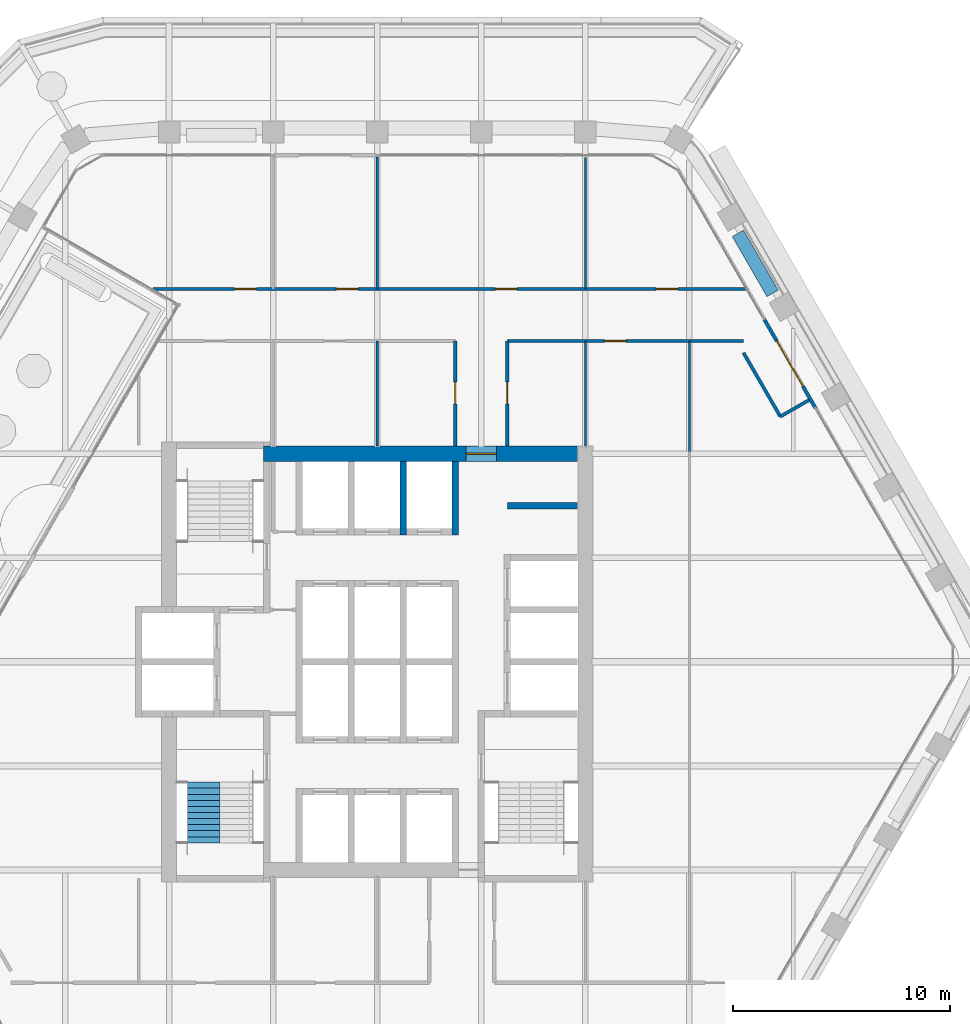
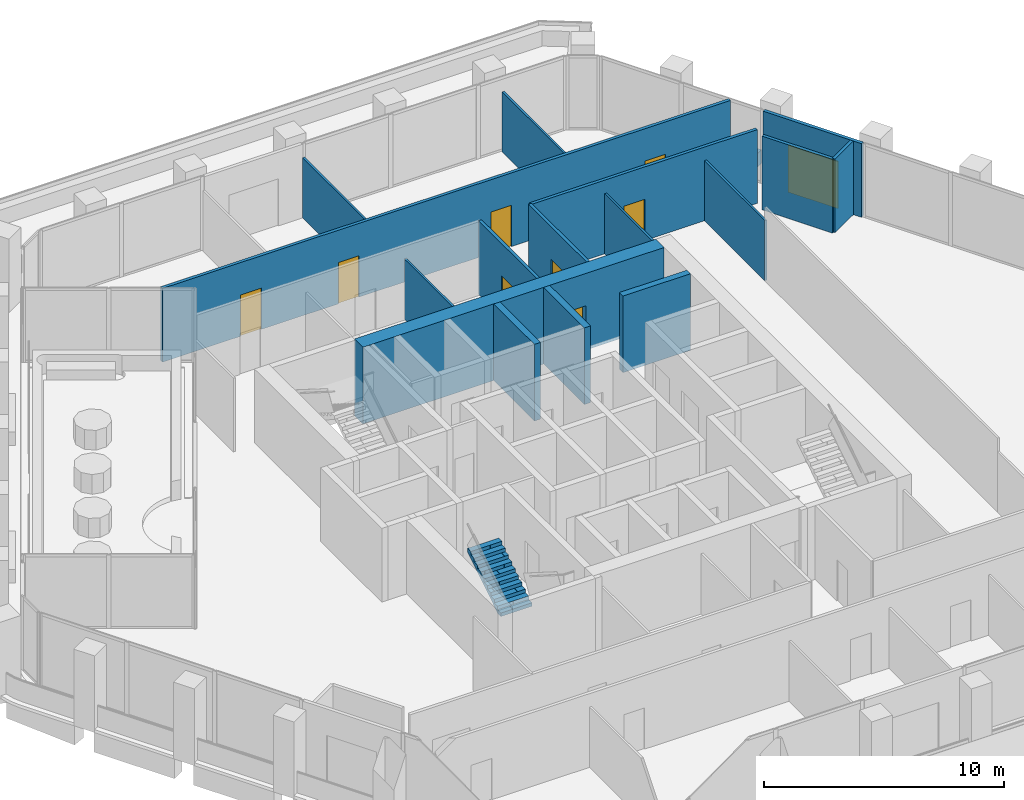
# One storey, part 14 of 18: 17 walls, 9 doors, 1 stair flight, 9 openings, 1 element without a shape of its own.
"""IFC4 building model written with IfcOpenShell, lengths in metres."""

from ifc_helpers import new_model, si_unit, direction, frame, frame_2d, origin, place, context, subcontext, project, spatial, polyline, rectangle, outline, extrude, material, layer, layer_set, type_object, element, fill, aggregate, save


model = new_model("IFC4")

# Units and contexts
model_context = context("Model", 3, precision=1e-05, world=origin(), true_north=direction((0.0, 1.0)))
body_context = subcontext(model_context, "Body", "Model", "MODEL_VIEW")
ifc_project = project(units=[si_unit("LENGTHUNIT", "METRE"), si_unit("AREAUNIT", "SQUARE_METRE"), si_unit("VOLUMEUNIT", "CUBIC_METRE"), si_unit("PLANEANGLEUNIT", "RADIAN"), si_unit("MASSUNIT", "GRAM", prefix="KILO")], contexts=[model_context])

# Site, building, storey
site_placement = place(None, origin())
site = spatial("IfcSite", under=ifc_project, at=site_placement, CompositionType="ELEMENT")
building_placement = place(site_placement, origin())
building = spatial("IfcBuilding", under=site, at=building_placement, Name="Kolab Exchange Tower", CompositionType="ELEMENT")
storey_placement = place(building_placement, frame((0.0, 0.0, 150.5)))
storey = spatial("IfcBuildingStorey", under=building, at=storey_placement, Name="L30", CompositionType="ELEMENT", Elevation=150.5)

# Wall, opening, door
ifc_material_1 = material(Name="Concrete C60/75", Category="concrete")
ifc_layer_1 = layer(ifc_material_1, 0.699951171875)
ifc_layer_set_1 = layer_set([ifc_layer_1], Name="Concrete C60/75")
wall_type_1 = type_object("IfcWallType", Name="CORE WALL 700 C60/75", PredefinedType="SHEAR", material=ifc_layer_set_1)
wall_1_placement = place(storey_placement, frame((-5.25, 9.60009765625, -0.14990234375), z_axis=(0.0, 0.0, 1.0), x_axis=(1.0, 0.0, 0.0)))
wall_1 = element("IfcWall", 1, at=wall_1_placement, inside=storey, type_object=wall_type_1, Name="wall/L30/core/031", PredefinedType="SHEAR", context=body_context, shape_type="SweptSolid", body=[
    extrude(rectangle(XDim=14.5, YDim=0.699951171875, at=frame_2d((7.25, 0.0))), origin(), (0.0, 0.0, 1.0), 3.89990234375),
])
opening_1_placement = place(wall_1_placement, frame((9.35009765625, 0.0, 0.14990234375)))
opening_1 = element("IfcOpeningElement", 2, at=opening_1_placement, cuts=wall_1, Name="Opening D5-010", PredefinedType="OPENING", context=body_context, shape_type="SweptSolid", body=[
    extrude(rectangle(XDim=1.39990234375, YDim=2.10009765625, at=frame_2d((0.699951171875, 1.050048828125))), frame((0.0, 0.35986328125, 0.0), z_axis=(0.0, -1.0, 0.0), x_axis=(1.0, 0.0, 0.0)), (0.0, 0.0, 1.0), 0.719970703125),
])
ifc_material_2 = material(Name="Steel S235", Category="steel")
door_type_1 = type_object("IfcDoorType", Name="CORE DOOR 1400 EI 120", OperationType="DOUBLE_DOOR_SINGLE_SWING", PredefinedType="DOOR", material=ifc_material_2)
door_1_placement = place(opening_1_placement, frame((1.39990234375, 0.0, 0.0), z_axis=(0.0, 0.0, 1.0), x_axis=(-1.0, 0.0, 0.0)))
door_1 = element("IfcDoor", 3, at=door_1_placement, inside=storey, type_object=door_type_1, Name="Core lobby door", OperationType="SINGLE_SWING_LEFT", OverallHeight=2.10009765625, OverallWidth=1.39990234375, PredefinedType="DOOR", context=body_context, shape_type="SweptSolid", body=[
    extrude(rectangle(XDim=1.39990234375, YDim=2.10009765625, at=frame_2d((0.699951171875, 1.050048828125))), frame((0.0, 0.02490234375, 0.0), z_axis=(0.0, -1.0, 0.0), x_axis=(1.0, 0.0, 0.0)), (0.0, 0.0, 1.0), 0.050048828125),
])
fill(opening_1, door_1)

ifc_material_3 = material(Name="Aluminium EN AW-6063 T6", Category="aluminium")
ifc_layer_2 = layer(ifc_material_3, 0.159912109375)
ifc_layer_set_2 = layer_set([ifc_layer_2], Name="Aluminium EN AW-6063 T6")
wall_type_2 = type_object("IfcWallType", Name="DOOR SURROUND WALL 160 ALUMINIUM FRAMED", PredefinedType="PARTITIONING", material=ifc_layer_set_2)
wall_2_placement = place(storey_placement, frame((17.8466796875, 15.811767578125, 0.0), z_axis=(0.0, 0.0, 1.0), x_axis=(0.5000167099, -0.866015756104, 0.0)))
wall_2 = element("IfcWall", 4, at=wall_2_placement, inside=storey, type_object=wall_type_2, Name="Door surround wall", PredefinedType="PARTITIONING", context=body_context, shape_type="SweptSolid", body=[
    extrude(rectangle(XDim=4.739990234375, YDim=0.159912109375, at=frame_2d((2.3701171875, 0.0))), origin(), (0.0, 0.0, 1.0), 3.75),
])
opening_2_placement = place(wall_2_placement, frame((1.169921875, 0.0, 0.0)))
opening_2 = element("IfcOpeningElement", 5, at=opening_2_placement, cuts=wall_2, Name="Opening GD1-065", PredefinedType="OPENING", context=body_context, shape_type="SweptSolid", body=[
    extrude(rectangle(XDim=2.39990234375, YDim=2.39990234375, at=frame_2d((1.199951171875, 1.199951171875))), frame((0.0, 0.08984375, 0.0), z_axis=(0.0, -1.0, 0.0), x_axis=(1.0, 0.0, 0.0)), (0.0, 0.0, 1.0), 0.179931640625),
])
door_type_2 = type_object("IfcDoorType", Name="LOGGIA SLIDING GLASS DOOR 2400 X 2400", OperationType="DOUBLE_DOOR_SINGLE_SWING", PredefinedType="DOOR", material=ifc_material_3)
door_2_placement = place(opening_2_placement, origin())
door_2 = element("IfcDoor", 6, at=door_2_placement, inside=storey, type_object=door_type_2, Name="Loggia door", OperationType="DOUBLE_DOOR_SLIDING", OverallHeight=2.39990234375, OverallWidth=2.39990234375, PredefinedType="DOOR", context=body_context, shape_type="SweptSolid", body=[
    extrude(rectangle(XDim=2.39990234375, YDim=2.39990234375, at=frame_2d((1.199951171875, 1.199951171875))), frame((0.0, 0.02490234375, 0.0), z_axis=(0.0, -1.0, 0.0), x_axis=(1.0, 0.0, 0.0)), (0.0, 0.0, 1.0), 0.050048828125),
])
fill(opening_2, door_2)

# Walls
ifc_material_4 = material(Name="Concrete C50/60", Category="concrete")
ifc_layer_3 = layer(ifc_material_4, 0.300048828125)
ifc_layer_set_3 = layer_set([ifc_layer_3], Name="Concrete C50/60")
wall_type_3 = type_object("IfcWallType", Name="LIFT SHAFT WALL 300 C50/60", PredefinedType="STANDARD", material=ifc_layer_set_3)
wall_3_placement = place(storey_placement, frame((6.0, 7.199951171875, -0.14990234375), z_axis=(0.0, 0.0, 1.0), x_axis=(1.0, 0.0, 0.0)))
element("IfcWall", 7, at=wall_3_placement, inside=storey, type_object=wall_type_3, Name="wall/L30/core/030", PredefinedType="STANDARD", context=body_context, shape_type="SweptSolid", body=[
    extrude(rectangle(XDim=3.25, YDim=0.300048828125, at=frame_2d((1.625, 0.0))), origin(), (0.0, 0.0, 1.0), 3.89990234375),
])
for number, where, z_axis, x_axis, name in (
    (8, (1.199951171875, 5.85009765625, -0.14990234375), (0.0, 0.0, 1.0), (0.0, 1.0, 0.0), "wall/L30/core/051"),
    (9, (3.60009765625, 5.85009765625, -0.14990234375), (0.0, 0.0, 1.0), (0.0, 1.0, 0.0), "wall/L30/core/054"),
):
    element("IfcWall", number, at=place(storey_placement, frame(where, z_axis=z_axis, x_axis=x_axis)), inside=storey, type_object=wall_type_3, Name=name, PredefinedType="STANDARD", context=body_context, shape_type="SweptSolid", body=[
        extrude(rectangle(XDim=3.39990234375, YDim=0.300048828125, at=frame_2d((1.699951171875, 0.0))), origin(), (0.0, 0.0, 1.0), 3.89990234375),
    ])
ifc_material_5 = material(Name="Gypsum board", Category="gypsum")
ifc_layer_4 = layer(ifc_material_5, 0.10009765625)
ifc_layer_set_4 = layer_set([ifc_layer_4], Name="Gypsum board")
wall_type_4 = type_object("IfcWallType", Name="PARTITION 100", PredefinedType="PARTITIONING", material=ifc_layer_set_4)
wall_4_placement = place(storey_placement, frame((14.39990234375, 9.693603515625, 0.0), z_axis=(0.0, 0.0, 1.0), x_axis=(0.0, 1.0, 0.0)))
element("IfcWall", 10, at=wall_4_placement, inside=storey, type_object=wall_type_4, Name="Partition 000", PredefinedType="PARTITIONING", context=body_context, shape_type="SweptSolid", body=[
    extrude(rectangle(XDim=5.1064453125, YDim=0.10009765625, at=frame_2d((2.55322265625, 0.0))), origin(), (0.0, 0.0, 1.0), 3.06591796875),
])
wall_5_placement = place(storey_placement, frame((9.60009765625, 9.949951171875, 0.0), z_axis=(0.0, 0.0, 1.0), x_axis=(0.0, 1.0, 0.0)))
element("IfcWall", 11, at=wall_5_placement, inside=storey, type_object=wall_type_4, Name="Partition 003", PredefinedType="PARTITIONING", context=body_context, shape_type="SweptSolid", body=[
    extrude(rectangle(XDim=4.85009765625, YDim=0.10009765625, at=frame_2d((2.425048828125, 0.0))), origin(), (0.0, 0.0, 1.0), 3.06591796875),
])
wall_6_placement = place(storey_placement, frame((9.60009765625, 17.199951171875, 0.0), z_axis=(0.0, 0.0, 1.0), x_axis=(0.0, 1.0, 0.0)))
element("IfcWall", 12, at=wall_6_placement, inside=storey, type_object=wall_type_4, Name="Partition 004", PredefinedType="PARTITIONING", context=body_context, shape_type="SweptSolid", body=[
    extrude(rectangle(XDim=6.071533203125, YDim=0.10009765625, at=frame_2d((3.03564453125, 0.0))), origin(), (0.0, 0.0, 1.0), 3.06591796875),
])
wall_7_placement = place(storey_placement, frame((0.0, 9.949951171875, 0.0), z_axis=(0.0, 0.0, 1.0), x_axis=(0.0, 1.0, 0.0)))
element("IfcWall", 13, at=wall_7_placement, inside=storey, type_object=wall_type_4, Name="Partition 012", PredefinedType="PARTITIONING", context=body_context, shape_type="SweptSolid", body=[
    extrude(rectangle(XDim=4.85009765625, YDim=0.10009765625, at=frame_2d((2.425048828125, 0.0))), origin(), (0.0, 0.0, 1.0), 3.06591796875),
])
wall_8_placement = place(storey_placement, frame((0.0, 17.199951171875, 0.0), z_axis=(0.0, 0.0, 1.0), x_axis=(0.0, 1.0, 0.0)))
element("IfcWall", 14, at=wall_8_placement, inside=storey, type_object=wall_type_4, Name="Partition 013", PredefinedType="PARTITIONING", context=body_context, shape_type="SweptSolid", body=[
    extrude(rectangle(XDim=6.08154296875, YDim=0.10009765625, at=frame_2d((3.040771484375, 0.0))), origin(), (0.0, 0.0, 1.0), 3.06591796875),
])

# Wall, opening, door
ifc_layer_5 = layer(ifc_material_5, 0.14990234375)
ifc_layer_set_5 = layer_set([ifc_layer_5], Name="Gypsum board")
wall_type_5 = type_object("IfcWallType", Name="PARTITION 150 FIRE-RATED", PredefinedType="PARTITIONING", material=ifc_layer_set_5)
wall_9_placement = place(storey_placement, frame((6.0, 9.949951171875, 0.0), z_axis=(0.0, 0.0, 1.0), x_axis=(0.0, 1.0, 0.0)))
wall_9 = element("IfcWall", 15, at=wall_9_placement, inside=storey, type_object=wall_type_5, Name="Partition 005", PredefinedType="PARTITIONING", context=body_context, shape_type="SweptSolid", body=[
    extrude(rectangle(XDim=4.85009765625, YDim=0.14990234375, at=frame_2d((2.425048828125, 0.0))), origin(), (0.0, 0.0, 1.0), 3.75),
])
opening_3_placement = place(wall_9_placement, frame((1.949951171875, 0.0, 0.0)))
opening_3 = element("IfcOpeningElement", 16, at=opening_3_placement, cuts=wall_9, Name="Opening D1-432", PredefinedType="OPENING", context=body_context, shape_type="SweptSolid", body=[
    extrude(rectangle(XDim=1.0, YDim=2.10009765625, at=frame_2d((0.5, 1.050048828125))), frame((0.0, 0.0849609375, 0.0), z_axis=(0.0, -1.0, 0.0), x_axis=(1.0, 0.0, 0.0)), (0.0, 0.0, 1.0), 0.169921875),
])
door_type_3 = type_object("IfcDoorType", Name="FLUSH DOOR 1000 FD60", OperationType="SINGLE_SWING_LEFT", PredefinedType="DOOR", material=ifc_material_2)
door_3_placement = place(opening_3_placement, frame((1.0, 0.0, 0.0), z_axis=(0.0, 0.0, 1.0), x_axis=(-1.0, 0.0, 0.0)))
door_3 = element("IfcDoor", 17, at=door_3_placement, inside=storey, type_object=door_type_3, Name="Door L30-030", OperationType="SINGLE_SWING_LEFT", OverallHeight=2.10009765625, OverallWidth=1.0, PredefinedType="DOOR", context=body_context, shape_type="SweptSolid", body=[
    extrude(rectangle(XDim=1.0, YDim=2.10009765625, at=frame_2d((0.5, 1.050048828125))), frame((0.0, 0.02490234375, 0.0), z_axis=(0.0, -1.0, 0.0), x_axis=(1.0, 0.0, 0.0)), (0.0, 0.0, 1.0), 0.050048828125),
])
fill(opening_3, door_3)

wall_10_placement = place(storey_placement, frame((3.60009765625, 9.949951171875, 0.0), z_axis=(0.0, 0.0, 1.0), x_axis=(0.0, 1.0, 0.0)))
wall_10 = element("IfcWall", 18, at=wall_10_placement, inside=storey, type_object=wall_type_5, Name="Partition 008", PredefinedType="PARTITIONING", context=body_context, shape_type="SweptSolid", body=[
    extrude(rectangle(XDim=4.85009765625, YDim=0.14990234375, at=frame_2d((2.425048828125, 0.0))), origin(), (0.0, 0.0, 1.0), 3.75),
])
opening_4_placement = place(wall_10_placement, frame((1.949951171875, 0.0, 0.0)))
opening_4 = element("IfcOpeningElement", 19, at=opening_4_placement, cuts=wall_10, Name="Opening D1-435", PredefinedType="OPENING", context=body_context, shape_type="SweptSolid", body=[
    extrude(rectangle(XDim=1.0, YDim=2.10009765625, at=frame_2d((0.5, 1.050048828125))), frame((0.0, 0.0849609375, 0.0), z_axis=(0.0, -1.0, 0.0), x_axis=(1.0, 0.0, 0.0)), (0.0, 0.0, 1.0), 0.169921875),
])
door_4_placement = place(opening_4_placement, origin())
door_4 = element("IfcDoor", 20, at=door_4_placement, inside=storey, type_object=door_type_3, Name="Door L30-033", OperationType="SINGLE_SWING_LEFT", OverallHeight=2.10009765625, OverallWidth=1.0, PredefinedType="DOOR", context=body_context, shape_type="SweptSolid", body=[
    extrude(rectangle(XDim=1.0, YDim=2.10009765625, at=frame_2d((0.5, 1.050048828125))), frame((0.0, 0.02490234375, 0.0), z_axis=(0.0, -1.0, 0.0), x_axis=(1.0, 0.0, 0.0)), (0.0, 0.0, 1.0), 0.050048828125),
])
fill(opening_4, door_4)

# Walls
wall_11_placement = place(storey_placement, frame((16.89599609375, 14.25830078125, 0.0), z_axis=(0.0, 0.0, 1.0), x_axis=(0.499977295307, -0.866038511948, 0.0)))
element("IfcWall", 21, at=wall_11_placement, inside=storey, type_object=wall_type_5, Name="Partition 022", PredefinedType="PARTITIONING", context=body_context, shape_type="SweptSolid", body=[
    extrude(rectangle(XDim=3.400146484375, YDim=0.14990234375, at=frame_2d((1.7001953125, 0.0))), origin(), (0.0, 0.0, 1.0), 3.75),
])
wall_12_placement = place(storey_placement, frame((18.595947265625, 11.313720703125, 0.0), z_axis=(0.0, 0.0, 1.0), x_axis=(0.866030456496, 0.499991248344, 0.0)))
element("IfcWall", 22, at=wall_12_placement, inside=storey, type_object=wall_type_5, Name="Partition 024", PredefinedType="PARTITIONING", context=body_context, shape_type="SweptSolid", body=[
    extrude(rectangle(XDim=1.52001953125, YDim=0.14990234375, at=frame_2d((0.760009765625, 0.0))), origin(), (0.0, 0.0, 1.0), 3.75),
])

# Wall, opening, door
wall_13_placement = place(storey_placement, frame((6.0, 14.800048828125, 0.0), z_axis=(0.0, 0.0, 1.0), x_axis=(1.0, 0.0, 0.0)))
wall_13 = element("IfcWall", 23, at=wall_13_placement, inside=storey, type_object=wall_type_5, Name="Partition 030", PredefinedType="PARTITIONING", context=body_context, shape_type="SweptSolid", body=[
    extrude(rectangle(XDim=10.9052734375, YDim=0.14990234375, at=frame_2d((5.45263671875, 0.0))), origin(), (0.0, 0.0, 1.0), 3.75),
])
opening_5_placement = place(wall_13_placement, frame((4.485107421875, 0.0, 0.0)))
opening_5 = element("IfcOpeningElement", 24, at=opening_5_placement, cuts=wall_13, Name="Opening D1-446", PredefinedType="OPENING", context=body_context, shape_type="SweptSolid", body=[
    extrude(rectangle(XDim=1.0, YDim=2.10009765625, at=frame_2d((0.5, 1.050048828125))), frame((0.0, 0.0849609375, 0.0), z_axis=(0.0, -1.0, 0.0), x_axis=(1.0, 0.0, 0.0)), (0.0, 0.0, 1.0), 0.169921875),
])
door_5_placement = place(opening_5_placement, frame((1.0, 0.0, 0.0), z_axis=(0.0, 0.0, 1.0), x_axis=(-1.0, 0.0, 0.0)))
door_5 = element("IfcDoor", 25, at=door_5_placement, inside=storey, type_object=door_type_3, Name="Door L30-047", OperationType="SINGLE_SWING_LEFT", OverallHeight=2.10009765625, OverallWidth=1.0, PredefinedType="DOOR", context=body_context, shape_type="SweptSolid", body=[
    extrude(rectangle(XDim=1.0, YDim=2.10009765625, at=frame_2d((0.5, 1.050048828125))), frame((0.0, 0.02490234375, 0.0), z_axis=(0.0, -1.0, 0.0), x_axis=(1.0, 0.0, 0.0)), (0.0, 0.0, 1.0), 0.050048828125),
])
fill(opening_5, door_5)

# Wall, openings, doors
wall_14_placement = place(storey_placement, frame((-10.351318359375, 17.199951171875, 0.0), z_axis=(0.0, 0.0, 1.0), x_axis=(1.0, 0.0, 0.0)))
wall_14 = element("IfcWall", 26, at=wall_14_placement, inside=storey, type_object=wall_type_5, Name="Partition 031", PredefinedType="PARTITIONING", context=body_context, shape_type="SweptSolid", body=[
    extrude(rectangle(XDim=27.350341796875, YDim=0.14990234375, at=frame_2d((13.67529296875, 0.0))), origin(), (0.0, 0.0, 1.0), 3.75),
])
opening_6_placement = place(wall_14_placement, frame((3.771240234375, 0.0, 0.0)))
opening_6 = element("IfcOpeningElement", 27, at=opening_6_placement, cuts=wall_14, Name="Opening D1-437", PredefinedType="OPENING", context=body_context, shape_type="SweptSolid", body=[
    extrude(rectangle(XDim=1.0, YDim=2.10009765625, at=frame_2d((0.5, 1.050048828125))), frame((0.0, 0.0849609375, 0.0), z_axis=(0.0, -1.0, 0.0), x_axis=(1.0, 0.0, 0.0)), (0.0, 0.0, 1.0), 0.169921875),
])
opening_7_placement = place(wall_14_placement, frame((8.46630859375, 0.0, 0.0)))
opening_7 = element("IfcOpeningElement", 28, at=opening_7_placement, cuts=wall_14, Name="Opening D1-438", PredefinedType="OPENING", context=body_context, shape_type="SweptSolid", body=[
    extrude(rectangle(XDim=1.0, YDim=2.10009765625, at=frame_2d((0.5, 1.050048828125))), frame((0.0, 0.0849609375, 0.0), z_axis=(0.0, -1.0, 0.0), x_axis=(1.0, 0.0, 0.0)), (0.0, 0.0, 1.0), 0.169921875),
])
opening_8_placement = place(wall_14_placement, frame((15.806396484375, 0.0, 0.0)))
opening_8 = element("IfcOpeningElement", 29, at=opening_8_placement, cuts=wall_14, Name="Opening D1-439", PredefinedType="OPENING", context=body_context, shape_type="SweptSolid", body=[
    extrude(rectangle(XDim=1.0, YDim=2.10009765625, at=frame_2d((0.5, 1.050048828125))), frame((0.0, 0.0849609375, 0.0), z_axis=(0.0, -1.0, 0.0), x_axis=(1.0, 0.0, 0.0)), (0.0, 0.0, 1.0), 0.169921875),
])
opening_9_placement = place(wall_14_placement, frame((23.22021484375, 0.0, 0.0)))
opening_9 = element("IfcOpeningElement", 30, at=opening_9_placement, cuts=wall_14, Name="Opening D1-440", PredefinedType="OPENING", context=body_context, shape_type="SweptSolid", body=[
    extrude(rectangle(XDim=1.0, YDim=2.10009765625, at=frame_2d((0.5, 1.050048828125))), frame((0.0, 0.0849609375, 0.0), z_axis=(0.0, -1.0, 0.0), x_axis=(1.0, 0.0, 0.0)), (0.0, 0.0, 1.0), 0.169921875),
])
door_6_placement = place(opening_6_placement, origin())
door_6 = element("IfcDoor", 31, at=door_6_placement, inside=storey, type_object=door_type_3, Name="Door L30-038", OperationType="SINGLE_SWING_RIGHT", OverallHeight=2.10009765625, OverallWidth=1.0, PredefinedType="DOOR", context=body_context, shape_type="SweptSolid", body=[
    extrude(rectangle(XDim=1.0, YDim=2.10009765625, at=frame_2d((0.5, 1.050048828125))), frame((0.0, 0.02490234375, 0.0), z_axis=(0.0, -1.0, 0.0), x_axis=(1.0, 0.0, 0.0)), (0.0, 0.0, 1.0), 0.050048828125),
])
fill(opening_6, door_6)
door_7_placement = place(opening_7_placement, origin())
door_7 = element("IfcDoor", 32, at=door_7_placement, inside=storey, type_object=door_type_3, Name="Door L30-039", OperationType="SINGLE_SWING_RIGHT", OverallHeight=2.10009765625, OverallWidth=1.0, PredefinedType="DOOR", context=body_context, shape_type="SweptSolid", body=[
    extrude(rectangle(XDim=1.0, YDim=2.10009765625, at=frame_2d((0.5, 1.050048828125))), frame((0.0, 0.02490234375, 0.0), z_axis=(0.0, -1.0, 0.0), x_axis=(1.0, 0.0, 0.0)), (0.0, 0.0, 1.0), 0.050048828125),
])
fill(opening_7, door_7)
door_8_placement = place(opening_8_placement, origin())
door_8 = element("IfcDoor", 33, at=door_8_placement, inside=storey, type_object=door_type_3, Name="Door L30-040", OperationType="SINGLE_SWING_RIGHT", OverallHeight=2.10009765625, OverallWidth=1.0, PredefinedType="DOOR", context=body_context, shape_type="SweptSolid", body=[
    extrude(rectangle(XDim=1.0, YDim=2.10009765625, at=frame_2d((0.5, 1.050048828125))), frame((0.0, 0.02490234375, 0.0), z_axis=(0.0, -1.0, 0.0), x_axis=(1.0, 0.0, 0.0)), (0.0, 0.0, 1.0), 0.050048828125),
])
fill(opening_8, door_8)
door_9_placement = place(opening_9_placement, origin())
door_9 = element("IfcDoor", 34, at=door_9_placement, inside=storey, type_object=door_type_3, Name="Door L30-041", OperationType="SINGLE_SWING_RIGHT", OverallHeight=2.10009765625, OverallWidth=1.0, PredefinedType="DOOR", context=body_context, shape_type="SweptSolid", body=[
    extrude(rectangle(XDim=1.0, YDim=2.10009765625, at=frame_2d((0.5, 1.050048828125))), frame((0.0, 0.02490234375, 0.0), z_axis=(0.0, -1.0, 0.0), x_axis=(1.0, 0.0, 0.0)), (0.0, 0.0, 1.0), 0.050048828125),
])
fill(opening_9, door_9)

# Wall
ifc_material_6 = material(Name="Granite facing", Category="masonry")
ifc_layer_6 = layer(ifc_material_6, 0.0400390625)
ifc_material_7 = material(Name="Concrete C40/50 precast", Category="concrete")
ifc_layer_7 = layer(ifc_material_7, 0.56005859375)
ifc_layer_set_6 = layer_set([ifc_layer_6, ifc_layer_7], Name="Concrete C40/50 precast")
wall_type_6 = type_object("IfcWallType", Name="PLANTER BOX 600 X 700 SOIL DEPTH 550", PredefinedType="USERDEFINED", material=ifc_layer_set_6)
wall_15_placement = place(storey_placement, frame((16.636962890625, 19.766845703125, 0.0), z_axis=(0.0, 0.0, 1.0), x_axis=(0.500028443584, -0.866008981251, 0.0)))
element("IfcWall", 35, at=wall_15_placement, inside=storey, type_object=wall_type_6, Name="Planter", ObjectType="PLANTER", PredefinedType="USERDEFINED", context=body_context, shape_type="SweptSolid", body=[
    extrude(rectangle(XDim=3.199951171875, YDim=0.60009765625, at=frame_2d((1.60009765625, 0.0))), origin(), (0.0, 0.0, 1.0), 0.699951171875),
])

# Stair, stair flight
stair_type = type_object("IfcStairType", Name="STAIR ST3 RISER 177.3", PredefinedType="HALF_TURN_STAIR", material=ifc_material_4)
stair_placement = place(storey_placement, origin())
stair = element("IfcStair", 36, at=stair_placement, inside=storey, type_object=stair_type, Name="Stair 3", PredefinedType="HALF_TURN_STAIR")
stair_flight_type = type_object("IfcStairFlightType", Name="STAIR FLIGHT 1500 RISER 177.3", PredefinedType="STRAIGHT", material=ifc_material_4)
stair_flight_placement = place(storey_placement, frame((-8.010009765625, -8.35009765625, 1.949951171875), z_axis=(0.0, 0.0, 1.0), x_axis=(0.0, 1.0, 0.0)))
stair_flight = element("IfcStairFlight", 37, at=stair_flight_placement, type_object=stair_flight_type, Name="ST3 flight 2", NumberOfRisers=11, NumberOfTreads=10, PredefinedType="STRAIGHT", RiserHeight=0.177272727, TreadLength=0.28, context=body_context, shape_type="SweptSolid", body=[
    extrude(outline(polyline([(0.0, 0.0), (0.0, 0.17724609375), (0.280029296875, 0.17724609375), (0.280029296875, 0.3544921875), (0.56005859375, 0.3544921875), (0.56005859375, 0.53173828125), (0.840087890625, 0.53173828125), (0.840087890625, 0.708984375), (1.1201171875, 0.708984375), (1.1201171875, 0.886474609375), (1.39990234375, 0.886474609375), (1.39990234375, 1.063720703125), (1.679931640625, 1.063720703125), (1.679931640625, 1.240966796875), (1.9599609375, 1.240966796875), (1.9599609375, 1.418212890625), (2.239990234375, 1.418212890625), (2.239990234375, 1.595458984375), (2.52001953125, 1.595458984375), (2.52001953125, 1.772705078125), (2.800048828125, 1.772705078125), (2.800048828125, 1.949951171875), (2.800048828125, 1.59521484375), (0.2802734375, 0.0), (0.0, 0.0)])), frame((0.0, 0.75, 0.0), z_axis=(0.0, -1.0, 0.0), x_axis=(1.0, 0.0, 0.0)), (0.0, 0.0, 1.0), 0.185791015625),
    extrude(outline(polyline([(0.0, 0.0), (0.0, 0.17724609375), (0.280029296875, 0.17724609375), (0.280029296875, 0.3544921875), (0.56005859375, 0.3544921875), (0.56005859375, 0.53173828125), (0.840087890625, 0.53173828125), (0.840087890625, 0.708984375), (1.1201171875, 0.708984375), (1.1201171875, 0.886474609375), (1.39990234375, 0.886474609375), (1.39990234375, 1.063720703125), (1.679931640625, 1.063720703125), (1.679931640625, 1.240966796875), (1.9599609375, 1.240966796875), (1.9599609375, 1.418212890625), (2.239990234375, 1.418212890625), (2.239990234375, 1.595458984375), (2.52001953125, 1.595458984375), (2.52001953125, 1.772705078125), (2.800048828125, 1.772705078125), (2.800048828125, 1.949951171875), (2.800048828125, 1.59521484375), (0.2802734375, 0.0), (0.0, 0.0)])), frame((0.0, 0.562255859375, 0.0), z_axis=(0.0, -1.0, 0.0), x_axis=(1.0, 0.0, 0.0)), (0.0, 0.0, 1.0), 0.185791015625),
    extrude(outline(polyline([(0.0, 0.0), (0.0, 0.17724609375), (0.280029296875, 0.17724609375), (0.280029296875, 0.3544921875), (0.56005859375, 0.3544921875), (0.56005859375, 0.53173828125), (0.840087890625, 0.53173828125), (0.840087890625, 0.708984375), (1.1201171875, 0.708984375), (1.1201171875, 0.886474609375), (1.39990234375, 0.886474609375), (1.39990234375, 1.063720703125), (1.679931640625, 1.063720703125), (1.679931640625, 1.240966796875), (1.9599609375, 1.240966796875), (1.9599609375, 1.418212890625), (2.239990234375, 1.418212890625), (2.239990234375, 1.595458984375), (2.52001953125, 1.595458984375), (2.52001953125, 1.772705078125), (2.800048828125, 1.772705078125), (2.800048828125, 1.949951171875), (2.800048828125, 1.59521484375), (0.2802734375, 0.0), (0.0, 0.0)])), frame((0.0, 0.37451171875, 0.0), z_axis=(0.0, -1.0, 0.0), x_axis=(1.0, 0.0, 0.0)), (0.0, 0.0, 1.0), 0.185791015625),
    extrude(outline(polyline([(0.0, 0.0), (0.0, 0.17724609375), (0.280029296875, 0.17724609375), (0.280029296875, 0.3544921875), (0.56005859375, 0.3544921875), (0.56005859375, 0.53173828125), (0.840087890625, 0.53173828125), (0.840087890625, 0.708984375), (1.1201171875, 0.708984375), (1.1201171875, 0.886474609375), (1.39990234375, 0.886474609375), (1.39990234375, 1.063720703125), (1.679931640625, 1.063720703125), (1.679931640625, 1.240966796875), (1.9599609375, 1.240966796875), (1.9599609375, 1.418212890625), (2.239990234375, 1.418212890625), (2.239990234375, 1.595458984375), (2.52001953125, 1.595458984375), (2.52001953125, 1.772705078125), (2.800048828125, 1.772705078125), (2.800048828125, 1.949951171875), (2.800048828125, 1.59521484375), (0.2802734375, 0.0), (0.0, 0.0)])), frame((0.0, 0.186767578125, 0.0), z_axis=(0.0, -1.0, 0.0), x_axis=(1.0, 0.0, 0.0)), (0.0, 0.0, 1.0), 0.185791015625),
    extrude(outline(polyline([(0.0, 0.0), (0.0, 0.17724609375), (0.280029296875, 0.17724609375), (0.280029296875, 0.3544921875), (0.56005859375, 0.3544921875), (0.56005859375, 0.53173828125), (0.840087890625, 0.53173828125), (0.840087890625, 0.708984375), (1.1201171875, 0.708984375), (1.1201171875, 0.886474609375), (1.39990234375, 0.886474609375), (1.39990234375, 1.063720703125), (1.679931640625, 1.063720703125), (1.679931640625, 1.240966796875), (1.9599609375, 1.240966796875), (1.9599609375, 1.418212890625), (2.239990234375, 1.418212890625), (2.239990234375, 1.595458984375), (2.52001953125, 1.595458984375), (2.52001953125, 1.772705078125), (2.800048828125, 1.772705078125), (2.800048828125, 1.949951171875), (2.800048828125, 1.59521484375), (0.2802734375, 0.0), (0.0, 0.0)])), frame((0.0, -0.0009765625, 0.0), z_axis=(0.0, -1.0, 0.0), x_axis=(1.0, 0.0, 0.0)), (0.0, 0.0, 1.0), 0.185791015625),
    extrude(outline(polyline([(0.0, 0.0), (0.0, 0.17724609375), (0.280029296875, 0.17724609375), (0.280029296875, 0.3544921875), (0.56005859375, 0.3544921875), (0.56005859375, 0.53173828125), (0.840087890625, 0.53173828125), (0.840087890625, 0.708984375), (1.1201171875, 0.708984375), (1.1201171875, 0.886474609375), (1.39990234375, 0.886474609375), (1.39990234375, 1.063720703125), (1.679931640625, 1.063720703125), (1.679931640625, 1.240966796875), (1.9599609375, 1.240966796875), (1.9599609375, 1.418212890625), (2.239990234375, 1.418212890625), (2.239990234375, 1.595458984375), (2.52001953125, 1.595458984375), (2.52001953125, 1.772705078125), (2.800048828125, 1.772705078125), (2.800048828125, 1.949951171875), (2.800048828125, 1.59521484375), (0.2802734375, 0.0), (0.0, 0.0)])), frame((0.0, -0.188720703125, 0.0), z_axis=(0.0, -1.0, 0.0), x_axis=(1.0, 0.0, 0.0)), (0.0, 0.0, 1.0), 0.185791015625),
    extrude(outline(polyline([(0.0, 0.0), (0.0, 0.17724609375), (0.280029296875, 0.17724609375), (0.280029296875, 0.3544921875), (0.56005859375, 0.3544921875), (0.56005859375, 0.53173828125), (0.840087890625, 0.53173828125), (0.840087890625, 0.708984375), (1.1201171875, 0.708984375), (1.1201171875, 0.886474609375), (1.39990234375, 0.886474609375), (1.39990234375, 1.063720703125), (1.679931640625, 1.063720703125), (1.679931640625, 1.240966796875), (1.9599609375, 1.240966796875), (1.9599609375, 1.418212890625), (2.239990234375, 1.418212890625), (2.239990234375, 1.595458984375), (2.52001953125, 1.595458984375), (2.52001953125, 1.772705078125), (2.800048828125, 1.772705078125), (2.800048828125, 1.949951171875), (2.800048828125, 1.59521484375), (0.2802734375, 0.0), (0.0, 0.0)])), frame((0.0, -0.37646484375, 0.0), z_axis=(0.0, -1.0, 0.0), x_axis=(1.0, 0.0, 0.0)), (0.0, 0.0, 1.0), 0.185791015625),
    extrude(outline(polyline([(0.0, 0.0), (0.0, 0.17724609375), (0.280029296875, 0.17724609375), (0.280029296875, 0.3544921875), (0.56005859375, 0.3544921875), (0.56005859375, 0.53173828125), (0.840087890625, 0.53173828125), (0.840087890625, 0.708984375), (1.1201171875, 0.708984375), (1.1201171875, 0.886474609375), (1.39990234375, 0.886474609375), (1.39990234375, 1.063720703125), (1.679931640625, 1.063720703125), (1.679931640625, 1.240966796875), (1.9599609375, 1.240966796875), (1.9599609375, 1.418212890625), (2.239990234375, 1.418212890625), (2.239990234375, 1.595458984375), (2.52001953125, 1.595458984375), (2.52001953125, 1.772705078125), (2.800048828125, 1.772705078125), (2.800048828125, 1.949951171875), (2.800048828125, 1.59521484375), (0.2802734375, 0.0), (0.0, 0.0)])), frame((0.0, -0.564208984375, 0.0), z_axis=(0.0, -1.0, 0.0), x_axis=(1.0, 0.0, 0.0)), (0.0, 0.0, 1.0), 0.185791015625),
])
aggregate(stair, [stair_flight])

save(model, "model.ifc")
